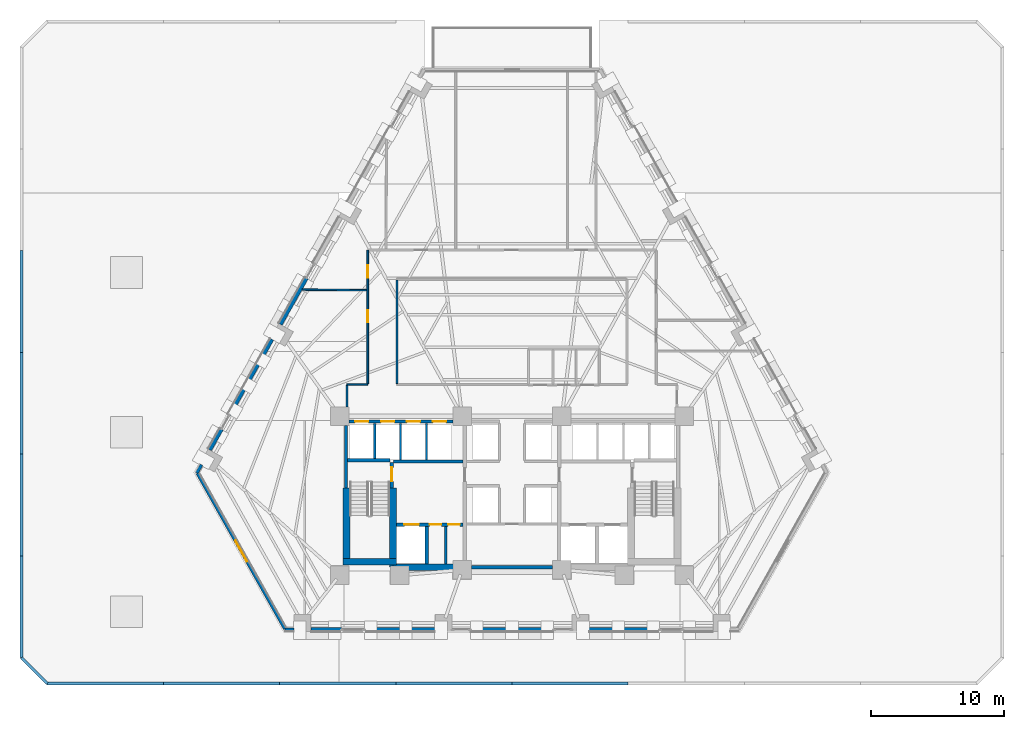
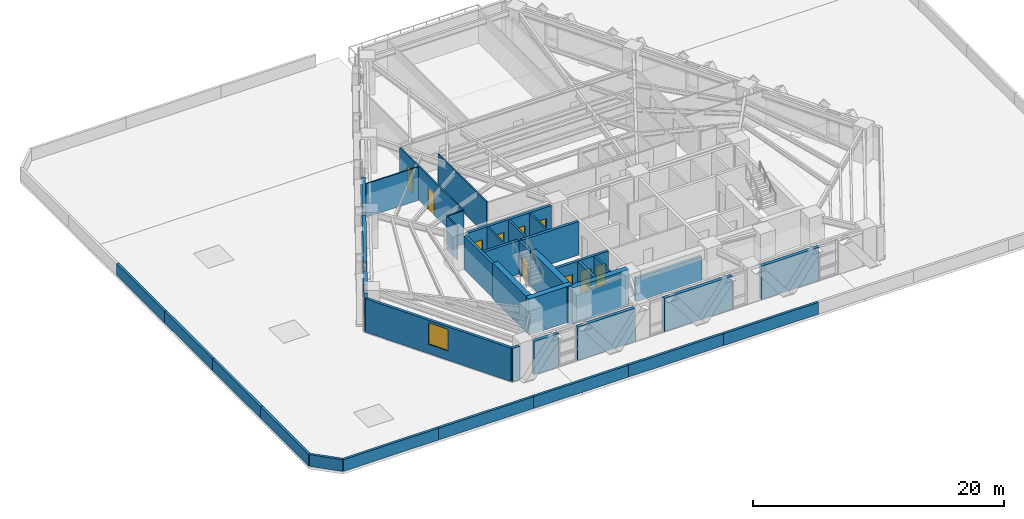
# One storey, part 8 of 14: 41 walls, 10 doors, 1 window, 11 openings.
"""IFC4 building model written with IfcOpenShell, lengths in metres."""

from ifc_helpers import new_model, si_unit, direction, frame, frame_2d, origin, place, context, subcontext, project, spatial, rectangle, extrude, material, layer, layer_set, type_object, element, fill, save


model = new_model("IFC4")

# Units and contexts
model_context = context("Model", 3, precision=1e-05, world=origin(), true_north=direction((0.0, 1.0)))
body_context = subcontext(model_context, "Body", "Model", "MODEL_VIEW")
ifc_project = project(units=[si_unit("LENGTHUNIT", "METRE"), si_unit("AREAUNIT", "SQUARE_METRE"), si_unit("VOLUMEUNIT", "CUBIC_METRE"), si_unit("PLANEANGLEUNIT", "RADIAN"), si_unit("MASSUNIT", "GRAM", prefix="KILO")], contexts=[model_context])

# Site, building, storey
site_placement = place(None, origin())
site = spatial("IfcSite", under=ifc_project, at=site_placement, CompositionType="ELEMENT")
building_placement = place(site_placement, origin())
building = spatial("IfcBuilding", under=site, at=building_placement, Name="Quenlor Broadcast Tower", CompositionType="ELEMENT")
storey_placement = place(building_placement, frame((0.0, 0.0, 27.60009765625)))
storey = spatial("IfcBuildingStorey", under=building, at=storey_placement, Name="L06", CompositionType="ELEMENT", Elevation=27.60009765625)

# Walls
ifc_material_1 = material(Name="Concrete C65/80", Category="concrete")
ifc_layer_1 = layer(ifc_material_1, 0.5)
ifc_layer_set_1 = layer_set([ifc_layer_1], Name="Core Concrete C65/80 Shear Wall 500")
wall_type_1 = type_object("IfcWallType", Name="Core Concrete C65/80 Shear Wall 500", PredefinedType="SHEAR", material=ifc_layer_set_1)
wall_1_placement = place(storey_placement, frame((-12.699951171875, -15.75, 0.0), z_axis=(0.0, 0.0, 1.0), x_axis=(1.0, 0.0, 0.0)))
element("IfcWall", 1, at=wall_1_placement, inside=storey, type_object=wall_type_1, Name="L06 Core Shear Wall WS-W1", PredefinedType="SHEAR", context=body_context, shape_type="SweptSolid", body=[
    extrude(rectangle(XDim=4.0, YDim=0.5, at=frame_2d((2.0, 0.0))), origin(), (0.0, 0.0, 1.0), 3.5),
])
wall_2_placement = place(storey_placement, frame((-8.949951171875, -16.14990234375, 0.0), z_axis=(0.0, 0.0, 1.0), x_axis=(1.0, 0.0, 0.0)))
element("IfcWall", 2, at=wall_2_placement, inside=storey, type_object=wall_type_1, Name="L06 Core Shear Wall WS-W2", PredefinedType="SHEAR", context=body_context, shape_type="SweptSolid", body=[
    extrude(rectangle(XDim=5.199951171875, YDim=0.5, at=frame_2d((2.60009765625, 0.0))), origin(), (0.0, 0.0, 1.0), 3.5),
])
wall_3_placement = place(storey_placement, frame((-12.449951171875, -15.75, 0.0), z_axis=(0.0, 0.0, 1.0), x_axis=(0.0, 1.0, 0.0)))
element("IfcWall", 3, at=wall_3_placement, inside=storey, type_object=wall_type_1, Name="L06 Core Shear Wall WF-W", PredefinedType="SHEAR", context=body_context, shape_type="SweptSolid", body=[
    extrude(rectangle(XDim=5.550048828125, YDim=0.5, at=frame_2d((2.77490234375, 0.0))), origin(), (0.0, 0.0, 1.0), 3.5),
])
wall_4_placement = place(storey_placement, frame((-8.949951171875, -16.14990234375, 0.0), z_axis=(0.0, 0.0, 1.0), x_axis=(0.0, 1.0, 0.0)))
element("IfcWall", 4, at=wall_4_placement, inside=storey, type_object=wall_type_1, Name="L06 Core Shear Wall WI-W", PredefinedType="SHEAR", context=body_context, shape_type="SweptSolid", body=[
    extrude(rectangle(XDim=5.949951171875, YDim=0.5, at=frame_2d((2.97509765625, 0.0))), origin(), (0.0, 0.0, 1.0), 3.5),
])

# Wall, opening, door
ifc_material_2 = material(Name="Concrete C40/50", Category="concrete")
ifc_layer_2 = layer(ifc_material_2, 0.25)
ifc_layer_set_2 = layer_set([ifc_layer_2], Name="Fire Rated Concrete C40/50 Core Wall 250")
wall_type_2 = type_object("IfcWallType", Name="Fire Rated Concrete C40/50 Core Wall 250", PredefinedType="PARTITIONING", material=ifc_layer_set_2)
wall_5_placement = place(storey_placement, frame((-9.0400390625, -10.179931640625, 0.0), z_axis=(0.0, 0.0, 1.0), x_axis=(0.0, 1.0, 0.0)))
wall_5 = element("IfcWall", 5, at=wall_5_placement, inside=storey, type_object=wall_type_2, Name="L06 Interior Wall CW-ST1-DR", PredefinedType="PARTITIONING", context=body_context, shape_type="SweptSolid", body=[
    extrude(rectangle(XDim=1.89990234375, YDim=0.25, at=frame_2d((0.949951171875, 0.0))), origin(), (0.0, 0.0, 1.0), 3.25),
])
opening_1_placement = place(wall_5_placement, frame((0.47998046875, 0.0, 0.0)))
opening_1 = element("IfcOpeningElement", 6, at=opening_1_placement, cuts=wall_5, Name="Opening FD-1", PredefinedType="OPENING", context=body_context, shape_type="SweptSolid", body=[
    extrude(rectangle(XDim=1.050048828125, YDim=2.14990234375, at=frame_2d((0.52490234375, 1.074951171875))), frame((0.0, 0.135009765625, 0.0), z_axis=(0.0, -1.0, 0.0), x_axis=(1.0, 0.0, 0.0)), (0.0, 0.0, 1.0), 0.27001953125),
])
ifc_material_3 = material(Name="Fire Rated Steel Door Leaf", Category="steel")
door_type_1 = type_object("IfcDoorType", Name="Fire Isolated Stair Door 1050x2150", OperationType="NOTDEFINED", PredefinedType="DOOR", material=ifc_material_3)
door_1_placement = place(opening_1_placement, origin())
door_1 = element("IfcDoor", 7, at=door_1_placement, inside=storey, type_object=door_type_1, Name="L06 Door DR-ST1", OperationType="SINGLE_SWING_LEFT", OverallHeight=2.14990234375, OverallWidth=1.050048828125, PredefinedType="DOOR", context=body_context, shape_type="SweptSolid", body=[
    extrude(rectangle(XDim=1.050048828125, YDim=2.14990234375, at=frame_2d((0.52490234375, 1.074951171875))), frame((0.0, 0.02490234375, 0.0), z_axis=(0.0, -1.0, 0.0), x_axis=(1.0, 0.0, 0.0)), (0.0, 0.0, 1.0), 0.050048828125),
])
fill(opening_1, door_1)

# Walls
wall_6_placement = place(storey_placement, frame((-12.3798828125, -8.1201171875, 0.0), z_axis=(0.0, 0.0, 1.0), x_axis=(1.0, 0.0, 0.0)))
element("IfcWall", 8, at=wall_6_placement, inside=storey, type_object=wall_type_2, Name="L06 Interior Wall CW-ST1-N", PredefinedType="PARTITIONING", context=body_context, shape_type="SweptSolid", body=[
    extrude(rectangle(XDim=3.219970703125, YDim=0.25, at=frame_2d((1.60986328125, 0.0))), origin(), (0.0, 0.0, 1.0), 3.25),
])
wall_7_placement = place(storey_placement, frame((-12.47998046875, -10.179931640625, 0.0), z_axis=(0.0, 0.0, 1.0), x_axis=(0.0, 1.0, 0.0)))
element("IfcWall", 9, at=wall_7_placement, inside=storey, type_object=wall_type_2, Name="L06 Interior Wall CW-ST1-W2", PredefinedType="PARTITIONING", context=body_context, shape_type="SweptSolid", body=[
    extrude(rectangle(XDim=4.677978515625, YDim=0.25, at=frame_2d((2.3388671875, 0.0))), origin(), (0.0, 0.0, 1.0), 3.25),
])

# Wall, openings, doors
wall_8_placement = place(storey_placement, frame((-8.697998046875, -12.949951171875, 0.0), z_axis=(0.0, 0.0, 1.0), x_axis=(1.0, 0.0, 0.0)))
wall_8 = element("IfcWall", 10, at=wall_8_placement, inside=storey, type_object=wall_type_2, Name="L06 Interior Wall CW-FFW-S", PredefinedType="PARTITIONING", context=body_context, shape_type="SweptSolid", body=[
    extrude(rectangle(XDim=5.01806640625, YDim=0.25, at=frame_2d((2.509033203125, 0.0))), origin(), (0.0, 0.0, 1.0), 3.25),
])
opening_2_placement = place(wall_8_placement, frame((0.597900390625, 0.0, 0.0)))
opening_2 = element("IfcOpeningElement", 11, at=opening_2_placement, cuts=wall_8, Name="Opening LD-FFL-1", PredefinedType="OPENING", context=body_context, shape_type="SweptSolid", body=[
    extrude(rectangle(XDim=1.10009765625, YDim=2.14990234375, at=frame_2d((0.550048828125, 1.074951171875))), frame((0.0, 0.135009765625, 0.0), z_axis=(0.0, -1.0, 0.0), x_axis=(1.0, 0.0, 0.0)), (0.0, 0.0, 1.0), 0.27001953125),
])
opening_3_placement = place(wall_8_placement, frame((2.498046875, 0.0, 0.0)))
opening_3 = element("IfcOpeningElement", 12, at=opening_3_placement, cuts=wall_8, Name="Opening TD-1", PredefinedType="OPENING", context=body_context, shape_type="SweptSolid", body=[
    extrude(rectangle(XDim=0.8798828125, YDim=2.10009765625, at=frame_2d((0.43994140625, 1.050048828125))), frame((0.0, 0.135009765625, 0.0), z_axis=(0.0, -1.0, 0.0), x_axis=(1.0, 0.0, 0.0)), (0.0, 0.0, 1.0), 0.27001953125),
])
opening_4_placement = place(wall_8_placement, frame((3.89794921875, 0.0, 0.0)))
opening_4 = element("IfcOpeningElement", 13, at=opening_4_placement, cuts=wall_8, Name="Opening TD-1", PredefinedType="OPENING", context=body_context, shape_type="SweptSolid", body=[
    extrude(rectangle(XDim=0.8798828125, YDim=2.10009765625, at=frame_2d((0.43994140625, 1.050048828125))), frame((0.0, 0.135009765625, 0.0), z_axis=(0.0, -1.0, 0.0), x_axis=(1.0, 0.0, 0.0)), (0.0, 0.0, 1.0), 0.27001953125),
])
ifc_material_4 = material(Name="Brushed Stainless Steel", Category="steel")
door_type_2 = type_object("IfcDoorType", Name="Emergency Lift Sliding Landing Door 1100x2150", OperationType="NOTDEFINED", PredefinedType="DOOR", material=ifc_material_4)
door_2_placement = place(opening_2_placement, origin())
door_2 = element("IfcDoor", 14, at=door_2_placement, inside=storey, type_object=door_type_2, Name="L06 Door LD-FFL-1", OperationType="SLIDING_TO_LEFT", OverallHeight=2.14990234375, OverallWidth=1.10009765625, PredefinedType="DOOR", context=body_context, shape_type="SweptSolid", body=[
    extrude(rectangle(XDim=1.10009765625, YDim=2.14990234375, at=frame_2d((0.550048828125, 1.074951171875))), frame((0.0, 0.02490234375, 0.0), z_axis=(0.0, -1.0, 0.0), x_axis=(1.0, 0.0, 0.0)), (0.0, 0.0, 1.0), 0.050048828125),
])
fill(opening_2, door_2)
ifc_material_5 = material(Name="Fire Rated Steel Access Panel", Category="steel")
door_type_3 = type_object("IfcDoorType", Name="Riser Shaft Rated Access Trapdoor 880x2100", OperationType="NOTDEFINED", PredefinedType="TRAPDOOR", material=ifc_material_5)
door_3_placement = place(opening_3_placement, origin())
door_3 = element("IfcDoor", 15, at=door_3_placement, inside=storey, type_object=door_type_3, Name="L06 Door DR-ELR", OperationType="SINGLE_SWING_LEFT", OverallHeight=2.10009765625, OverallWidth=0.8798828125, PredefinedType="TRAPDOOR", context=body_context, shape_type="SweptSolid", body=[
    extrude(rectangle(XDim=0.8798828125, YDim=2.10009765625, at=frame_2d((0.43994140625, 1.050048828125))), frame((0.0, 0.02490234375, 0.0), z_axis=(0.0, -1.0, 0.0), x_axis=(1.0, 0.0, 0.0)), (0.0, 0.0, 1.0), 0.050048828125),
])
fill(opening_3, door_3)
door_4_placement = place(opening_4_placement, origin())
door_4 = element("IfcDoor", 16, at=door_4_placement, inside=storey, type_object=door_type_3, Name="L06 Door DR-CMR", OperationType="SINGLE_SWING_RIGHT", OverallHeight=2.10009765625, OverallWidth=0.8798828125, PredefinedType="TRAPDOOR", context=body_context, shape_type="SweptSolid", body=[
    extrude(rectangle(XDim=0.8798828125, YDim=2.10009765625, at=frame_2d((0.43994140625, 1.050048828125))), frame((0.0, 0.02490234375, 0.0), z_axis=(0.0, -1.0, 0.0), x_axis=(1.0, 0.0, 0.0)), (0.0, 0.0, 1.0), 0.050048828125),
])
fill(opening_4, door_4)

# Walls
wall_9_placement = place(storey_placement, frame((-6.419921875, -15.89794921875, 0.0), z_axis=(0.0, 0.0, 1.0), x_axis=(0.0, 1.0, 0.0)))
element("IfcWall", 17, at=wall_9_placement, inside=storey, type_object=wall_type_2, Name="L06 Interior Wall CW-FF1-E", PredefinedType="PARTITIONING", context=body_context, shape_type="SweptSolid", body=[
    extrude(rectangle(XDim=2.807861328125, YDim=0.25, at=frame_2d((1.40380859375, 0.0))), origin(), (0.0, 0.0, 1.0), 3.25),
])
wall_10_placement = place(storey_placement, frame((-8.919921875, -8.199951171875, 0.0), z_axis=(0.0, 0.0, 1.0), x_axis=(1.0, 0.0, 0.0)))
element("IfcWall", 18, at=wall_10_placement, inside=storey, type_object=wall_type_2, Name="L06 Interior Wall CW-FFW-N", PredefinedType="PARTITIONING", context=body_context, shape_type="SweptSolid", body=[
    extrude(rectangle(XDim=5.239990234375, YDim=0.25, at=frame_2d((2.6201171875, 0.0))), origin(), (0.0, 0.0, 1.0), 3.25),
])

# Wall, openings, doors
wall_11_placement = place(storey_placement, frame((-12.248046875, -5.199951171875, 0.0), z_axis=(0.0, 0.0, 1.0), x_axis=(1.0, 0.0, 0.0)))
wall_11 = element("IfcWall", 19, at=wall_11_placement, inside=storey, type_object=wall_type_2, Name="L06 Interior Wall CW-N-W", PredefinedType="PARTITIONING", context=body_context, shape_type="SweptSolid", body=[
    extrude(rectangle(XDim=7.796142578125, YDim=0.25, at=frame_2d((3.89794921875, 0.0))), origin(), (0.0, 0.0, 1.0), 3.25),
])
opening_5_placement = place(wall_11_placement, frame((0.447998046875, 0.0, 0.0)))
opening_5 = element("IfcOpeningElement", 20, at=opening_5_placement, cuts=wall_11, Name="Opening LD-PL-L1", PredefinedType="OPENING", context=body_context, shape_type="SweptSolid", body=[
    extrude(rectangle(XDim=1.0, YDim=2.14990234375, at=frame_2d((0.5, 1.074951171875))), frame((0.0, 0.135009765625, 0.0), z_axis=(0.0, -1.0, 0.0), x_axis=(1.0, 0.0, 0.0)), (0.0, 0.0, 1.0), 0.27001953125),
])
opening_6_placement = place(wall_11_placement, frame((2.39794921875, 0.0, 0.0)))
opening_6 = element("IfcOpeningElement", 21, at=opening_6_placement, cuts=wall_11, Name="Opening LD-PL-L2", PredefinedType="OPENING", context=body_context, shape_type="SweptSolid", body=[
    extrude(rectangle(XDim=1.0, YDim=2.14990234375, at=frame_2d((0.5, 1.074951171875))), frame((0.0, 0.135009765625, 0.0), z_axis=(0.0, -1.0, 0.0), x_axis=(1.0, 0.0, 0.0)), (0.0, 0.0, 1.0), 0.27001953125),
])
opening_7_placement = place(wall_11_placement, frame((4.347900390625, 0.0, 0.0)))
opening_7 = element("IfcOpeningElement", 22, at=opening_7_placement, cuts=wall_11, Name="Opening LD-PL-L3", PredefinedType="OPENING", context=body_context, shape_type="SweptSolid", body=[
    extrude(rectangle(XDim=1.0, YDim=2.14990234375, at=frame_2d((0.5, 1.074951171875))), frame((0.0, 0.135009765625, 0.0), z_axis=(0.0, -1.0, 0.0), x_axis=(1.0, 0.0, 0.0)), (0.0, 0.0, 1.0), 0.27001953125),
])
opening_8_placement = place(wall_11_placement, frame((6.298095703125, 0.0, 0.0)))
opening_8 = element("IfcOpeningElement", 23, at=opening_8_placement, cuts=wall_11, Name="Opening LD-PL-L4", PredefinedType="OPENING", context=body_context, shape_type="SweptSolid", body=[
    extrude(rectangle(XDim=1.0, YDim=2.14990234375, at=frame_2d((0.5, 1.074951171875))), frame((0.0, 0.135009765625, 0.0), z_axis=(0.0, -1.0, 0.0), x_axis=(1.0, 0.0, 0.0)), (0.0, 0.0, 1.0), 0.27001953125),
])
ifc_material_6 = material(Name="Brushed Stainless Steel", Category="steel")
door_type_4 = type_object("IfcDoorType", Name="Passenger Lift Sliding Landing Door 1000x2150", OperationType="NOTDEFINED", PredefinedType="DOOR", material=ifc_material_6)
door_5_placement = place(opening_5_placement, origin())
door_5 = element("IfcDoor", 24, at=door_5_placement, inside=storey, type_object=door_type_4, Name="L06 Door LD-PL-L1", OperationType="SLIDING_TO_LEFT", OverallHeight=2.14990234375, OverallWidth=1.0, PredefinedType="DOOR", context=body_context, shape_type="SweptSolid", body=[
    extrude(rectangle(XDim=1.0, YDim=2.14990234375, at=frame_2d((0.5, 1.074951171875))), frame((0.0, 0.02490234375, 0.0), z_axis=(0.0, -1.0, 0.0), x_axis=(1.0, 0.0, 0.0)), (0.0, 0.0, 1.0), 0.050048828125),
])
fill(opening_5, door_5)
door_6_placement = place(opening_6_placement, origin())
door_6 = element("IfcDoor", 25, at=door_6_placement, inside=storey, type_object=door_type_4, Name="L06 Door LD-PL-L2", OperationType="SLIDING_TO_LEFT", OverallHeight=2.14990234375, OverallWidth=1.0, PredefinedType="DOOR", context=body_context, shape_type="SweptSolid", body=[
    extrude(rectangle(XDim=1.0, YDim=2.14990234375, at=frame_2d((0.5, 1.074951171875))), frame((0.0, 0.02490234375, 0.0), z_axis=(0.0, -1.0, 0.0), x_axis=(1.0, 0.0, 0.0)), (0.0, 0.0, 1.0), 0.050048828125),
])
fill(opening_6, door_6)
door_7_placement = place(opening_7_placement, origin())
door_7 = element("IfcDoor", 26, at=door_7_placement, inside=storey, type_object=door_type_4, Name="L06 Door LD-PL-L3", OperationType="SLIDING_TO_LEFT", OverallHeight=2.14990234375, OverallWidth=1.0, PredefinedType="DOOR", context=body_context, shape_type="SweptSolid", body=[
    extrude(rectangle(XDim=1.0, YDim=2.14990234375, at=frame_2d((0.5, 1.074951171875))), frame((0.0, 0.02490234375, 0.0), z_axis=(0.0, -1.0, 0.0), x_axis=(1.0, 0.0, 0.0)), (0.0, 0.0, 1.0), 0.050048828125),
])
fill(opening_7, door_7)
door_8_placement = place(opening_8_placement, origin())
door_8 = element("IfcDoor", 27, at=door_8_placement, inside=storey, type_object=door_type_4, Name="L06 Door LD-PL-L4", OperationType="SLIDING_TO_LEFT", OverallHeight=2.14990234375, OverallWidth=1.0, PredefinedType="DOOR", context=body_context, shape_type="SweptSolid", body=[
    extrude(rectangle(XDim=1.0, YDim=2.14990234375, at=frame_2d((0.5, 1.074951171875))), frame((0.0, 0.02490234375, 0.0), z_axis=(0.0, -1.0, 0.0), x_axis=(1.0, 0.0, 0.0)), (0.0, 0.0, 1.0), 0.050048828125),
])
fill(opening_8, door_8)

# Walls
wall_12_placement = place(storey_placement, frame((-3.048095703125, -16.14990234375, 0.0), z_axis=(0.0, 0.0, 1.0), x_axis=(1.0, 0.0, 0.0)))
element("IfcWall", 28, at=wall_12_placement, inside=storey, type_object=wall_type_2, Name="L06 Interior Wall CW-MS-S", PredefinedType="PARTITIONING", context=body_context, shape_type="SweptSolid", body=[
    extrude(rectangle(XDim=6.09619140625, YDim=0.25, at=frame_2d((3.048095703125, 0.0))), origin(), (0.0, 0.0, 1.0), 2.2998046875),
])
ifc_material_7 = material(Name="Gypsum Fireboard Partition", Category="other")
ifc_layer_3 = layer(ifc_material_7, 0.159912109375)
ifc_layer_set_3 = layer_set([ifc_layer_3], Name="Fire Rated Shaft and Corridor Partition 160")
wall_type_3 = type_object("IfcWallType", Name="Fire Rated Shaft and Corridor Partition 160", PredefinedType="PARTITIONING", material=ifc_layer_set_3)
wall_13_placement = place(storey_placement, frame((-4.97998046875, -15.89794921875, 0.0), z_axis=(0.0, 0.0, 1.0), x_axis=(0.0, 1.0, 0.0)))
element("IfcWall", 29, at=wall_13_placement, inside=storey, type_object=wall_type_3, Name="L06 Interior Wall CW-ELR-E", PredefinedType="PARTITIONING", context=body_context, shape_type="SweptSolid", body=[
    extrude(rectangle(XDim=2.807861328125, YDim=0.159912109375, at=frame_2d((1.40380859375, 0.0))), origin(), (0.0, 0.0, 1.0), 3.25),
])
wall_14_placement = place(storey_placement, frame((-10.324951171875, -7.992919921875, 0.0), z_axis=(0.0, 0.0, 1.0), x_axis=(0.0, 1.0, 0.0)))
element("IfcWall", 30, at=wall_14_placement, inside=storey, type_object=wall_type_3, Name="L06 Interior Wall CW-PLL-D1", PredefinedType="PARTITIONING", context=body_context, shape_type="SweptSolid", body=[
    extrude(rectangle(XDim=2.65283203125, YDim=0.159912109375, at=frame_2d((1.326416015625, 0.0))), origin(), (0.0, 0.0, 1.0), 3.25),
])
for number, where, z_axis, x_axis, name in (
    (31, (-8.375, -8.072998046875, 0.0), (0.0, 0.0, 1.0), (0.0, 1.0, 0.0), "L06 Interior Wall CW-PLL-D2"),
    (32, (-6.425048828125, -8.072998046875, 0.0), (0.0, 0.0, 1.0), (0.0, 1.0, 0.0), "L06 Interior Wall CW-PLL-D3"),
):
    element("IfcWall", number, at=place(storey_placement, frame(where, z_axis=z_axis, x_axis=x_axis)), inside=storey, type_object=wall_type_3, Name=name, PredefinedType="PARTITIONING", context=body_context, shape_type="SweptSolid", body=[
        extrude(rectangle(XDim=2.73291015625, YDim=0.159912109375, at=frame_2d((1.366455078125, 0.0))), origin(), (0.0, 0.0, 1.0), 3.25),
    ])
ifc_material_8 = material(Name="Precast concrete C40/50", Category="concrete")
ifc_layer_4 = layer(ifc_material_8, 0.219970703125)
ifc_layer_set_4 = layer_set([ifc_layer_4], Name="Podium Roof Precast Concrete C40/50 Parapet Wall 220")
wall_type_4 = type_object("IfcWallType", Name="Podium Roof Precast Concrete C40/50 Parapet Wall 220", PredefinedType="PARAPET", material=ifc_layer_set_4)
wall_15_placement = place(storey_placement, frame((-34.954345703125, -24.889892578125, 0.0), z_axis=(0.0, 0.0, 1.0), x_axis=(-0.707106781187, 0.707106781187, 0.0)))
element("IfcWall", 33, at=wall_15_placement, inside=storey, type_object=wall_type_4, Name="L06 Roof Parapet 1", PredefinedType="PARAPET", context=body_context, shape_type="SweptSolid", body=[
    extrude(rectangle(XDim=2.7373046875, YDim=0.219970703125, at=frame_2d((1.36865234375, 0.0))), origin(), (0.0, 0.0, 1.0), 1.14990234375),
])
for number, where, z_axis, x_axis, name in (
    (34, (-36.889892578125, -22.954345703125, 0.0), (0.0, 0.0, 1.0), (0.0, 1.0, 0.0), "L06 Roof Parapet 2"),
    (35, (-36.889892578125, -15.302978515625, 0.0), (0.0, 0.0, 1.0), (0.0, 1.0, 0.0), "L06 Roof Parapet 3"),
):
    element("IfcWall", number, at=place(storey_placement, frame(where, z_axis=z_axis, x_axis=x_axis)), inside=storey, type_object=wall_type_4, Name=name, PredefinedType="PARAPET", context=body_context, shape_type="SweptSolid", body=[
        extrude(rectangle(XDim=7.6513671875, YDim=0.219970703125, at=frame_2d((3.82568359375, 0.0))), origin(), (0.0, 0.0, 1.0), 1.14990234375),
    ])
for number, where, z_axis, x_axis, name in (
    (36, (-36.889892578125, -7.651611328125, 0.0), (0.0, 0.0, 1.0), (0.0, 1.0, 0.0), "L06 Roof Parapet 4"),
    (37, (-36.889892578125, 0.0, 0.0), (0.0, 0.0, 1.0), (0.0, 1.0, 0.0), "L06 Roof Parapet 5"),
):
    element("IfcWall", number, at=place(storey_placement, frame(where, z_axis=z_axis, x_axis=x_axis)), inside=storey, type_object=wall_type_4, Name=name, PredefinedType="PARAPET", context=body_context, shape_type="SweptSolid", body=[
        extrude(rectangle(XDim=7.651611328125, YDim=0.219970703125, at=frame_2d((3.82568359375, 0.0))), origin(), (0.0, 0.0, 1.0), 1.14990234375),
    ])
for number, where, z_axis, x_axis, name in (
    (38, (8.738525390625, -24.889892578125, 0.0), (0.0, 0.0, 1.0), (-1.0, 0.0, 0.0), "L06 Roof Parapet 26"),
    (39, (0.0, -24.889892578125, 0.0), (0.0, 0.0, 1.0), (-1.0, 0.0, 0.0), "L06 Roof Parapet 27"),
):
    element("IfcWall", number, at=place(storey_placement, frame(where, z_axis=z_axis, x_axis=x_axis)), inside=storey, type_object=wall_type_4, Name=name, PredefinedType="PARAPET", context=body_context, shape_type="SweptSolid", body=[
        extrude(rectangle(XDim=8.738525390625, YDim=0.219970703125, at=frame_2d((4.369140625, 0.0))), origin(), (0.0, 0.0, 1.0), 1.14990234375),
    ])
wall_16_placement = place(storey_placement, frame((-8.738525390625, -24.889892578125, 0.0), z_axis=(0.0, 0.0, 1.0), x_axis=(-1.0, 0.0, 0.0)))
element("IfcWall", 40, at=wall_16_placement, inside=storey, type_object=wall_type_4, Name="L06 Roof Parapet 28", PredefinedType="PARAPET", context=body_context, shape_type="SweptSolid", body=[
    extrude(rectangle(XDim=8.73876953125, YDim=0.219970703125, at=frame_2d((4.369384765625, 0.0))), origin(), (0.0, 0.0, 1.0), 1.14990234375),
])
for number, where, z_axis, x_axis, name in (
    (41, (-17.477294921875, -24.889892578125, 0.0), (0.0, 0.0, 1.0), (-1.0, 0.0, 0.0), "L06 Roof Parapet 29"),
    (42, (-26.2158203125, -24.889892578125, 0.0), (0.0, 0.0, 1.0), (-1.0, 0.0, 0.0), "L06 Roof Parapet 30"),
):
    element("IfcWall", number, at=place(storey_placement, frame(where, z_axis=z_axis, x_axis=x_axis)), inside=storey, type_object=wall_type_4, Name=name, PredefinedType="PARAPET", context=body_context, shape_type="SweptSolid", body=[
        extrude(rectangle(XDim=8.738525390625, YDim=0.219970703125, at=frame_2d((4.369140625, 0.0))), origin(), (0.0, 0.0, 1.0), 1.14990234375),
    ])
ifc_material_9 = material(Name="Gypsum Plasterboard Partition", Category="other")
ifc_layer_5 = layer(ifc_material_9, 0.1201171875)
ifc_layer_set_5 = layer_set([ifc_layer_5], Name="Standard Office Partition 120")
wall_type_5 = type_object("IfcWallType", Name="Standard Office Partition 120", PredefinedType="PARTITIONING", material=ifc_layer_set_5)
wall_17_placement = place(storey_placement, frame((-12.409912109375, -2.39990234375, 0.0), z_axis=(0.0, 0.0, 1.0), x_axis=(1.0, 0.0, 0.0)))
element("IfcWall", 43, at=wall_17_placement, inside=storey, type_object=wall_type_5, Name="L06 Interior Wall PW-CR-01", PredefinedType="PARTITIONING", context=body_context, shape_type="SweptSolid", body=[
    extrude(rectangle(XDim=1.559814453125, YDim=0.1201171875, at=frame_2d((0.77978515625, 0.0))), origin(), (0.0, 0.0, 1.0), 3.25),
])

# Wall, openings, doors
wall_18_placement = place(storey_placement, frame((-10.85009765625, -2.337890625, 0.0), z_axis=(0.0, 0.0, 1.0), x_axis=(0.0, 1.0, 0.0)))
wall_18 = element("IfcWall", 44, at=wall_18_placement, inside=storey, type_object=wall_type_5, Name="L06 Interior Wall PW-CR-02", PredefinedType="PARTITIONING", context=body_context, shape_type="SweptSolid", body=[
    extrude(rectangle(XDim=10.037841796875, YDim=0.1201171875, at=frame_2d((5.01904296875, 0.0))), origin(), (0.0, 0.0, 1.0), 3.25),
])
opening_9_placement = place(wall_18_placement, frame((7.958984375, 0.0, 0.0)))
opening_9 = element("IfcOpeningElement", 45, at=opening_9_placement, cuts=wall_18, Name="Opening ID-1", PredefinedType="OPENING", context=body_context, shape_type="SweptSolid", body=[
    extrude(rectangle(XDim=0.919921875, YDim=2.1201171875, at=frame_2d((0.4599609375, 1.06005859375))), frame((0.0, 0.070068359375, 0.0), z_axis=(0.0, -1.0, 0.0), x_axis=(1.0, 0.0, 0.0)), (0.0, 0.0, 1.0), 0.14013671875),
])
opening_10_placement = place(wall_18_placement, frame((4.60302734375, 0.0, 0.0)))
opening_10 = element("IfcOpeningElement", 46, at=opening_10_placement, cuts=wall_18, Name="Opening ID-1", PredefinedType="OPENING", context=body_context, shape_type="SweptSolid", body=[
    extrude(rectangle(XDim=0.919921875, YDim=2.1201171875, at=frame_2d((0.4599609375, 1.06005859375))), frame((0.0, 0.070068359375, 0.0), z_axis=(0.0, -1.0, 0.0), x_axis=(1.0, 0.0, 0.0)), (0.0, 0.0, 1.0), 0.14013671875),
])
ifc_material_10 = material(Name="Solid Core Timber Oak", Category="wood")
door_type_5 = type_object("IfcDoorType", Name="Single Leaf Timber Office Door 920x2120", OperationType="NOTDEFINED", PredefinedType="DOOR", material=ifc_material_10)
door_9_placement = place(opening_9_placement, origin())
door_9 = element("IfcDoor", 47, at=door_9_placement, inside=storey, type_object=door_type_5, Name="L06 Door DR-RM05", OperationType="SINGLE_SWING_RIGHT", OverallHeight=2.1201171875, OverallWidth=0.919921875, PredefinedType="DOOR", context=body_context, shape_type="SweptSolid", body=[
    extrude(rectangle(XDim=0.919921875, YDim=2.1201171875, at=frame_2d((0.4599609375, 1.06005859375))), frame((0.0, 0.02490234375, 0.0), z_axis=(0.0, -1.0, 0.0), x_axis=(1.0, 0.0, 0.0)), (0.0, 0.0, 1.0), 0.050048828125),
])
fill(opening_9, door_9)
door_10_placement = place(opening_10_placement, origin())
door_10 = element("IfcDoor", 48, at=door_10_placement, inside=storey, type_object=door_type_5, Name="L06 Door DR-RM06", OperationType="SINGLE_SWING_LEFT", OverallHeight=2.1201171875, OverallWidth=0.919921875, PredefinedType="DOOR", context=body_context, shape_type="SweptSolid", body=[
    extrude(rectangle(XDim=0.919921875, YDim=2.1201171875, at=frame_2d((0.4599609375, 1.06005859375))), frame((0.0, 0.02490234375, 0.0), z_axis=(0.0, -1.0, 0.0), x_axis=(1.0, 0.0, 0.0)), (0.0, 0.0, 1.0), 0.050048828125),
])
fill(opening_10, door_10)

# Walls
wall_19_placement = place(storey_placement, frame((-12.409912109375, -4.097900390625, 0.0), z_axis=(0.0, 0.0, 1.0), x_axis=(0.0, 1.0, 0.0)))
element("IfcWall", 49, at=wall_19_placement, inside=storey, type_object=wall_type_5, Name="L06 Interior Wall PW-CR-07", PredefinedType="PARTITIONING", context=body_context, shape_type="SweptSolid", body=[
    extrude(rectangle(XDim=1.635986328125, YDim=0.1201171875, at=frame_2d((0.81787109375, 0.0))), origin(), (0.0, 0.0, 1.0), 3.25),
])
wall_20_placement = place(storey_placement, frame((-8.64990234375, 5.43798828125, 0.0), z_axis=(0.0, 0.0, 1.0), x_axis=(0.0, -1.0, 0.0)))
element("IfcWall", 50, at=wall_20_placement, inside=storey, type_object=wall_type_5, Name="L06 Interior Wall PW-CR-11", PredefinedType="PARTITIONING", context=body_context, shape_type="SweptSolid", body=[
    extrude(rectangle(XDim=7.77587890625, YDim=0.1201171875, at=frame_2d((3.887939453125, 0.0))), origin(), (0.0, 0.0, 1.0), 3.25),
])
wall_21_placement = place(storey_placement, frame((-10.9599609375, 4.681396484375, 0.0), z_axis=(0.0, 0.0, 1.0), x_axis=(-0.999968717827, 0.007909700841, 0.0)))
element("IfcWall", 51, at=wall_21_placement, inside=storey, type_object=wall_type_5, Name="L06 Interior Wall PW-DV-06", PredefinedType="PARTITIONING", context=body_context, shape_type="SweptSolid", body=[
    extrude(rectangle(XDim=4.815185546875, YDim=0.1201171875, at=frame_2d((2.40771484375, 0.0))), origin(), (0.0, 0.0, 1.0), 3.25),
])
ifc_material_11 = material(Name="Precast concrete C40/50", Category="concrete")
ifc_layer_6 = layer(ifc_material_11, 0.239990234375)
ifc_layer_set_6 = layer_set([ifc_layer_6], Name="Terrace Threshold Precast Concrete C40/50 Wall 240")
wall_type_6 = type_object("IfcWallType", Name="Terrace Threshold Precast Concrete C40/50 Wall 240", PredefinedType="STANDARD", material=ifc_layer_set_6)
wall_22_placement = place(storey_placement, frame((-16.39501953125, -20.840087890625, 0.0), z_axis=(0.0, 0.0, 1.0), x_axis=(-1.0, 0.0, 0.0)))
element("IfcWall", 52, at=wall_22_placement, inside=storey, type_object=wall_type_6, Name="L06 Exterior Wall L06-SHD-SS1", PredefinedType="STANDARD", context=body_context, shape_type="SweptSolid", body=[
    extrude(rectangle(XDim=0.680908203125, YDim=0.239990234375, at=frame_2d((0.34033203125, 0.0))), origin(), (0.0, 0.0, 1.0), 3.25),
])
wall_23_placement = place(storey_placement, frame((-23.69921875, -9.05810546875, 0.0), z_axis=(0.0, 0.0, 1.0), x_axis=(0.490523074758, 0.871428203084, 0.0)))
element("IfcWall", 53, at=wall_23_placement, inside=storey, type_object=wall_type_6, Name="L06 Exterior Wall L06-SHD-NWS0", PredefinedType="STANDARD", context=body_context, shape_type="SweptSolid", body=[
    extrude(rectangle(XDim=0.708251953125, YDim=0.239990234375, at=frame_2d((0.35400390625, 0.0))), origin(), (0.0, 0.0, 1.0), 3.25),
])

# Wall, opening, window
wall_24_placement = place(storey_placement, frame((-23.659912109375, -9.07568359375, 0.0), z_axis=(0.0, 0.0, 1.0), x_axis=(0.490268135177, -0.871571658345, 0.0)))
wall_24 = element("IfcWall", 54, at=wall_24_placement, inside=storey, type_object=wall_type_6, Name="L06 Exterior Wall L06-CNR-04", PredefinedType="STANDARD", context=body_context, shape_type="SweptSolid", body=[
    extrude(rectangle(XDim=13.44775390625, YDim=0.239990234375, at=frame_2d((6.723876953125, 0.0))), origin(), (0.0, 0.0, 1.0), 3.25),
])
opening_11_placement = place(wall_24_placement, frame((5.823974609375, 0.0, 0.89990234375)))
opening_11 = element("IfcOpeningElement", 55, at=opening_11_placement, cuts=wall_24, Name="Opening WN-1", PredefinedType="OPENING", context=body_context, shape_type="SweptSolid", body=[
    extrude(rectangle(XDim=1.800048828125, YDim=2.10009765625, at=frame_2d((0.89990234375, 1.050048828125))), frame((0.0, 0.1298828125, 0.0), z_axis=(0.0, -1.0, 0.0), x_axis=(1.0, 0.0, 0.0)), (0.0, 0.0, 1.0), 0.260009765625),
])
ifc_material_12 = material(Name="Thermally Broken Aluminium and Low-E Glass", Category="aluminium")
window_type = type_object("IfcWindowType", Name="Tower Acoustic Vision Window 1800x2100", PartitioningType="SINGLE_PANEL", PredefinedType="WINDOW", material=ifc_material_12)
window_placement = place(opening_11_placement, origin())
window = element("IfcWindow", 56, at=window_placement, inside=storey, type_object=window_type, Name="L06 Corner Chamfer Window 4", OverallHeight=2.10009765625, OverallWidth=1.800048828125, PartitioningType="SINGLE_PANEL", PredefinedType="WINDOW", context=body_context, shape_type="SweptSolid", body=[
    extrude(rectangle(XDim=1.800048828125, YDim=2.10009765625, at=frame_2d((0.89990234375, 1.050048828125))), frame((0.0, 0.030029296875, 0.0), z_axis=(0.0, -1.0, 0.0), x_axis=(1.0, 0.0, 0.0)), (0.0, 0.0, 1.0), 0.06005859375),
])
fill(opening_11, window)

# Walls
ifc_material_13 = material(Name="Precast concrete C40/50", Category="concrete")
ifc_layer_7 = layer(ifc_material_13, 0.300048828125)
ifc_layer_set_7 = layer_set([ifc_layer_7], Name="Terracotta Precast Concrete C40/50 Spandrel Wall 300")
wall_type_7 = type_object("IfcWallType", Name="Terracotta Precast Concrete C40/50 Spandrel Wall 300", PredefinedType="STANDARD", material=ifc_layer_set_7)
for number, where, z_axis, x_axis, name in (
    (57, (11.106689453125, -20.840087890625, 0.0), (0.0, 0.0, 1.0), (-1.0, 0.0, 0.0), "L06 Exterior Wall L06-SA-SP2"),
    (58, (-5.790771484375, -20.840087890625, 0.0), (0.0, 0.0, 1.0), (-1.0, 0.0, 0.0), "L06 Exterior Wall L06-SC-SP1"),
):
    element("IfcWall", number, at=place(storey_placement, frame(where, z_axis=z_axis, x_axis=x_axis)), inside=storey, type_object=wall_type_7, Name=name, PredefinedType="STANDARD", context=body_context, shape_type="SweptSolid", body=[
        extrude(rectangle(XDim=5.31591796875, YDim=0.300048828125, at=frame_2d((2.657958984375, 0.0))), origin(), (0.0, 0.0, 1.0), 3.25),
    ])
wall_25_placement = place(storey_placement, frame((-12.8349609375, -20.840087890625, 0.0), z_axis=(0.0, 0.0, 1.0), x_axis=(-1.0, 0.0, 0.0)))
element("IfcWall", 59, at=wall_25_placement, inside=storey, type_object=wall_type_7, Name="L06 Exterior Wall L06-SC-SP2", PredefinedType="STANDARD", context=body_context, shape_type="SweptSolid", body=[
    extrude(rectangle(XDim=2.280029296875, YDim=0.300048828125, at=frame_2d((1.14013671875, 0.0))), origin(), (0.0, 0.0, 1.0), 3.25),
])
wall_26_placement = place(storey_placement, frame((3.126220703125, -20.840087890625, 0.0), z_axis=(0.0, 0.0, 1.0), x_axis=(-1.0, 0.0, 0.0)))
element("IfcWall", 60, at=wall_26_placement, inside=storey, type_object=wall_type_7, Name="L06 Exterior Wall L06-S-SP1", PredefinedType="STANDARD", context=body_context, shape_type="SweptSolid", body=[
    extrude(rectangle(XDim=6.25244140625, YDim=0.300048828125, at=frame_2d((3.126220703125, 0.0))), origin(), (0.0, 0.0, 1.0), 3.25),
])
wall_27_placement = place(storey_placement, frame((-22.724365234375, -7.3251953125, 0.0), z_axis=(0.0, 0.0, 1.0), x_axis=(0.490241729391, 0.871586511348, 0.0)))
element("IfcWall", 61, at=wall_27_placement, inside=storey, type_object=wall_type_7, Name="L06 Exterior Wall L06-NWA-SP1", PredefinedType="STANDARD", context=body_context, shape_type="SweptSolid", body=[
    extrude(rectangle(XDim=1.7822265625, YDim=0.300048828125, at=frame_2d((0.89111328125, 0.0))), origin(), (0.0, 0.0, 1.0), 3.25),
])
wall_28_placement = place(storey_placement, frame((-21.257568359375, -4.7177734375, 0.0), z_axis=(0.0, 0.0, 1.0), x_axis=(0.490245297262, 0.871584504516, 0.0)))
element("IfcWall", 62, at=wall_28_placement, inside=storey, type_object=wall_type_7, Name="L06 Exterior Wall L06-NWA-SP2", PredefinedType="STANDARD", context=body_context, shape_type="SweptSolid", body=[
    extrude(rectangle(XDim=6.543701171875, YDim=0.300048828125, at=frame_2d((3.27197265625, 0.0))), origin(), (0.0, 0.0, 1.0), 3.25),
])
wall_29_placement = place(storey_placement, frame((-17.414794921875, 2.1142578125, 0.0), z_axis=(0.0, 0.0, 1.0), x_axis=(0.49028736482, 0.871560841191, 0.0)))
element("IfcWall", 63, at=wall_29_placement, inside=storey, type_object=wall_type_7, Name="L06 Exterior Wall L06-NW-SP1", PredefinedType="STANDARD", context=body_context, shape_type="SweptSolid", body=[
    extrude(rectangle(XDim=3.9931640625, YDim=0.300048828125, at=frame_2d((1.99658203125, 0.0))), origin(), (0.0, 0.0, 1.0), 3.25),
])

save(model, "model.ifc")
